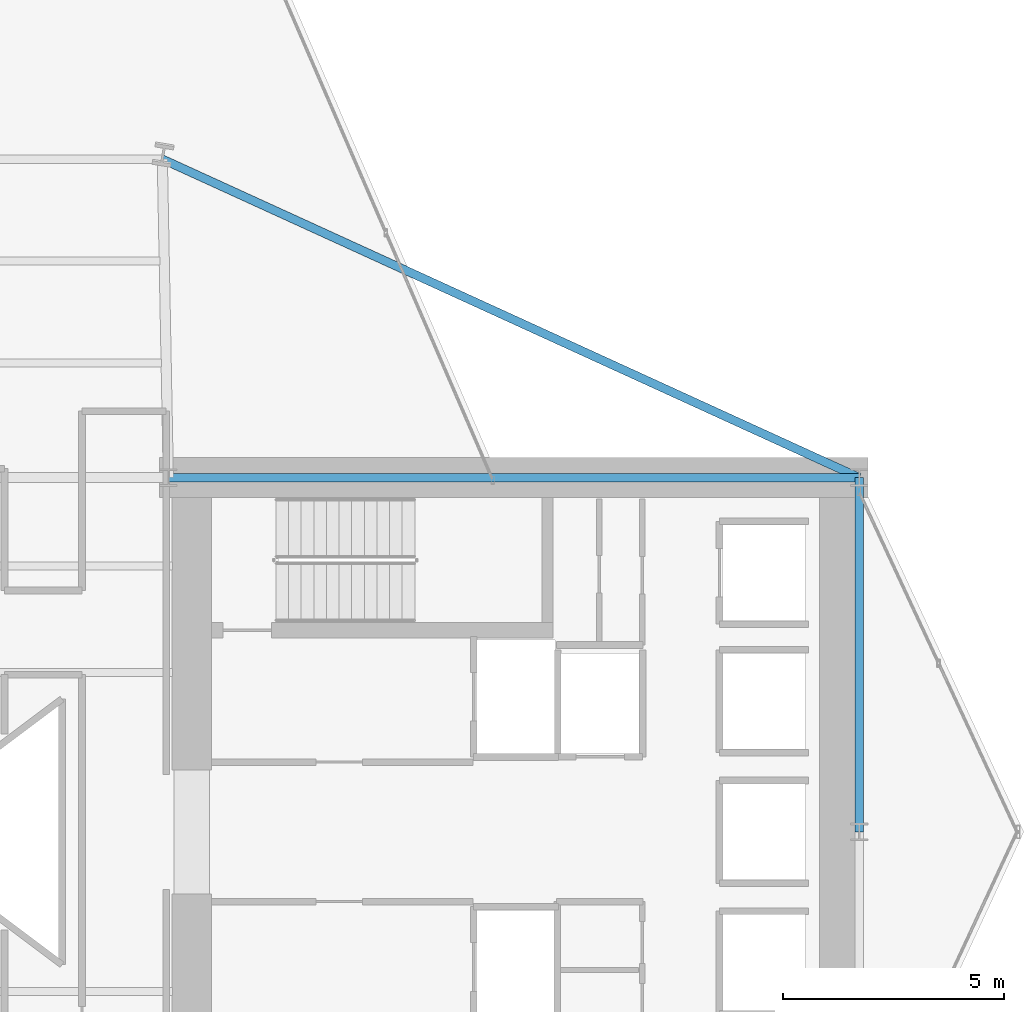
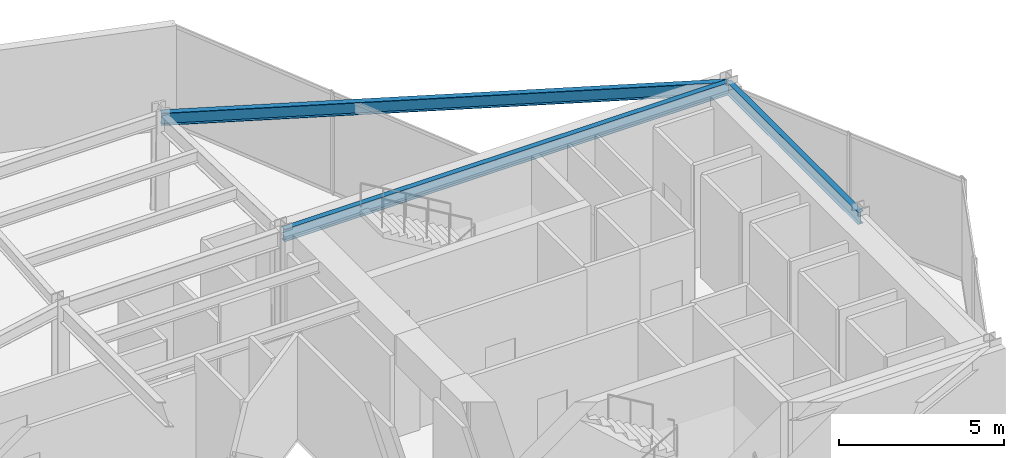
# One storey, part 15 of 26: 3 beams.
"""IFC4 building model written with IfcOpenShell, lengths in metres."""

from ifc_helpers import new_model, si_unit, direction, frame, origin, origin_2d, place, context, subcontext, project, spatial, i_section, extrude, material, material_profile, profile_set, type_object, element, save


model = new_model("IFC4")

# Units and contexts
model_context = context("Model", 3, precision=1e-05, world=origin(), true_north=direction((0.0, 1.0)))
body_context = subcontext(model_context, "Body", "Model", "MODEL_VIEW")
ifc_project = project(units=[si_unit("LENGTHUNIT", "METRE"), si_unit("AREAUNIT", "SQUARE_METRE"), si_unit("VOLUMEUNIT", "CUBIC_METRE"), si_unit("PLANEANGLEUNIT", "RADIAN"), si_unit("MASSUNIT", "GRAM", prefix="KILO")], contexts=[model_context])

# Site, building, storey
site_placement = place(None, origin())
site = spatial("IfcSite", under=ifc_project, at=site_placement, CompositionType="ELEMENT")
building_placement = place(site_placement, origin())
building = spatial("IfcBuilding", under=site, at=building_placement, Name="Veymaron Broadcast Tower", CompositionType="ELEMENT")
storey_placement = place(building_placement, frame((0.0, 0.0, 90.449951171875)))
storey = spatial("IfcBuildingStorey", under=building, at=storey_placement, Name="L20", CompositionType="ELEMENT", Elevation=90.449951171875)

# Beams
ifc_material = material(Name="Structural steel ASTM A992 Gr 50", Category="steel")
ifc_material_profile = material_profile(ifc_material, i_section(OverallWidth=0.19091796875, OverallDepth=0.4599609375, WebThickness=0.010009765625, FlangeThickness=0.01611328125, at=origin_2d()), Name="W460X82")
ifc_profile_set = profile_set([ifc_material_profile], Name="Structural steel ASTM A992 Gr 50")
beam_type = type_object("IfcBeamType", Name="BM-SP1", PredefinedType="SPANDREL", material=ifc_profile_set)
beam_1_placement = place(storey_placement, frame((39.0, 32.0, 3.580078125), z_axis=(1.0, 0.0, 0.0), x_axis=(0.0, 1.0, 0.0)))
element("IfcBeam", 1, at=beam_1_placement, inside=storey, type_object=beam_type, Name="L20 primary structural floor girder", PredefinedType="SPANDREL", context=body_context, shape_type="SweptSolid", body=[
    extrude(i_section(OverallWidth=0.19091796875, OverallDepth=0.4599609375, WebThickness=0.010009765625, FlangeThickness=0.01611328125, at=origin_2d()), origin(), (0.0, 0.0, 1.0), 15.60009765625),
])
beam_2_placement = place(storey_placement, frame((54.60009765625, 24.0, 3.580078125), z_axis=(0.0, 1.0, 0.0), x_axis=(-1.0, 0.0, 0.0)))
element("IfcBeam", 2, at=beam_2_placement, inside=storey, type_object=beam_type, Name="L20 primary structural floor girder", PredefinedType="SPANDREL", context=body_context, shape_type="SweptSolid", body=[
    extrude(i_section(OverallWidth=0.19091796875, OverallDepth=0.4599609375, WebThickness=0.010009765625, FlangeThickness=0.01611328125, at=origin_2d()), origin(), (0.0, 0.0, 1.0), 8.0),
])
beam_3_placement = place(storey_placement, frame((54.60009765625, 32.0, 3.580078125), z_axis=(-0.909545509286, 0.415604338931, 0.0), x_axis=(-0.415604338931, -0.909545509286, 0.0)))
element("IfcBeam", 3, at=beam_3_placement, inside=storey, type_object=beam_type, Name="L20 primary structural floor girder", PredefinedType="SPANDREL", context=body_context, shape_type="SweptSolid", body=[
    extrude(i_section(OverallWidth=0.19091796875, OverallDepth=0.4599609375, WebThickness=0.010009765625, FlangeThickness=0.01611328125, at=origin_2d()), origin(), (0.0, 0.0, 1.0), 17.300048828125),
])

save(model, "model.ifc")
